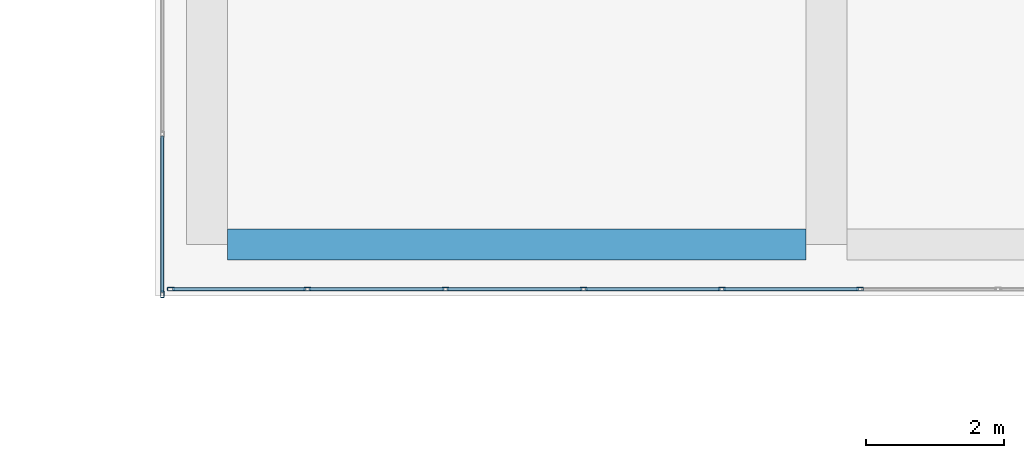
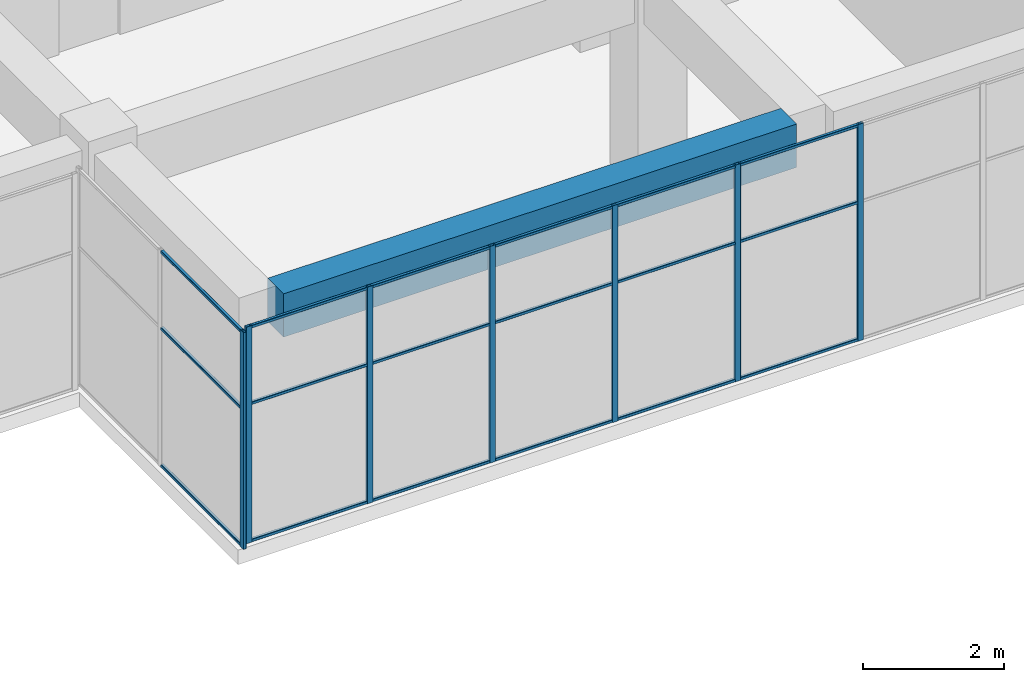
# One storey, part 15 of 66: 25 members, 1 beam, 2 elements without a shape of their own.
"""IFC4 building model written with IfcOpenShell, lengths in metres."""

from ifc_helpers import new_model, si_unit, direction, frame, origin, origin_2d, place, context, subcontext, project, spatial, rectangle, hollow_rectangle, extrude, material, layer, layer_set, material_profile, profile_set, type_object, element, aggregate, save


model = new_model("IFC4")

# Units and contexts
model_context = context("Model", 3, precision=1e-05, world=origin(), true_north=direction((0.0, 1.0)))
body_context = subcontext(model_context, "Body", "Model", "MODEL_VIEW")
ifc_project = project(units=[si_unit("LENGTHUNIT", "METRE"), si_unit("AREAUNIT", "SQUARE_METRE"), si_unit("VOLUMEUNIT", "CUBIC_METRE"), si_unit("PLANEANGLEUNIT", "RADIAN"), si_unit("MASSUNIT", "GRAM", prefix="KILO")], contexts=[model_context])

# Site, building, storey
site_placement = place(None, origin())
site = spatial("IfcSite", under=ifc_project, at=site_placement, CompositionType="ELEMENT")
building_placement = place(site_placement, origin())
building = spatial("IfcBuilding", under=site, at=building_placement, Name="Tuart Plaza Theatre", CompositionType="ELEMENT")
storey_placement = place(building_placement, frame((0.0, 0.0, 5.5)))
storey = spatial("IfcBuildingStorey", under=building, at=storey_placement, Name="L01", CompositionType="ELEMENT", Elevation=5.5)

# Beam
ifc_material_1 = material(Name="Concrete N40 (40 MPa)", Category="concrete")
ifc_material_profile_1 = material_profile(ifc_material_1, rectangle(XDim=0.449951171875, YDim=0.75, at=origin_2d()), Name="BEAM 450x750 Concrete N40 (40 MPa)")
ifc_profile_set_1 = profile_set([ifc_material_profile_1], Name="Concrete N40 (40 MPa)")
beam_type = type_object("IfcBeamType", Name="BEAM 450x750 Concrete N40 (40 MPa)", PredefinedType="BEAM", material=ifc_profile_set_1)
beam_placement = place(storey_placement, frame((123.300048828125, 51.5, 3.375), z_axis=(1.0, 0.0, 0.0), x_axis=(0.0, 1.0, 0.0)))
element("IfcBeam", 1, at=beam_placement, inside=storey, type_object=beam_type, Name="RB174", PredefinedType="BEAM", context=body_context, shape_type="SweptSolid", body=[
    extrude(rectangle(XDim=0.449951171875, YDim=0.75, at=origin_2d()), origin(), (0.0, 0.0, 1.0), 8.39990234375),
])

# Curtain wall, member
ifc_material_2 = material(Name="Aluminium and glass", Category="aluminium")
ifc_layer = layer(ifc_material_2, 0.10009765625)
ifc_layer_set = layer_set([ifc_layer], Name="CURTAIN WALL 2000 module")
curtain_wall_type = type_object("IfcCurtainWallType", Name="CURTAIN WALL 2000 module", PredefinedType="NOTDEFINED", material=ifc_layer_set)
curtain_wall_1_placement = place(storey_placement, origin())
curtain_wall_1 = element("IfcCurtainWall", 2, at=curtain_wall_1_placement, inside=storey, type_object=curtain_wall_type, Name="CW67", PredefinedType="NOTDEFINED")
ifc_material_3 = material(Name="Aluminium 6063-T5", Category="aluminium")
ifc_material_profile_2 = material_profile(ifc_material_3, hollow_rectangle(XDim=0.050048828125, YDim=0.10009765625, WallThickness=0.00390625, InnerFilletRadius=0.00390625, OuterFilletRadius=0.008056640625, at=origin_2d()), Name="RHS 100x50x4")
ifc_profile_set_2 = profile_set([ifc_material_profile_2], Name="Aluminium 6063-T5")
member_type_1 = type_object("IfcMemberType", Name="MULLION RHS 100x50x4", PredefinedType="MULLION", material=ifc_profile_set_2)
member_1_placement = place(storey_placement, frame((122.35009765625, 50.77490234375, 0.0), z_axis=(0.0, 0.0, 1.0), x_axis=(1.0, 0.0, 0.0)))
member_1 = element("IfcMember", 3, at=member_1_placement, type_object=member_type_1, Name="CW67 mullion 3", PredefinedType="MULLION", context=body_context, shape_type="SweptSolid", body=[
    extrude(hollow_rectangle(XDim=0.050048828125, YDim=0.10009765625, WallThickness=0.00390625, InnerFilletRadius=0.00390625, OuterFilletRadius=0.008056640625, at=origin_2d()), origin(), (0.0, 0.0, 1.0), 3.75),
])

# Curtain wall, members
curtain_wall_2_placement = place(storey_placement, origin())
curtain_wall_2 = element("IfcCurtainWall", 4, at=curtain_wall_2_placement, inside=storey, type_object=curtain_wall_type, Name="CW68", PredefinedType="NOTDEFINED")
member_2_placement = place(storey_placement, frame((122.47509765625, 50.85009765625, 0.0), z_axis=(0.0, 0.0, 1.0), x_axis=(0.0, 1.0, 0.0)))
member_2 = element("IfcMember", 5, at=member_2_placement, type_object=member_type_1, Name="CW68 mullion 1", PredefinedType="MULLION", context=body_context, shape_type="SweptSolid", body=[
    extrude(hollow_rectangle(XDim=0.050048828125, YDim=0.10009765625, WallThickness=0.00390625, InnerFilletRadius=0.00390625, OuterFilletRadius=0.008056640625, at=origin_2d()), origin(), (0.0, 0.0, 1.0), 3.75),
])
member_3_placement = place(storey_placement, frame((124.45703125, 50.85009765625, 0.0), z_axis=(0.0, 0.0, 1.0), x_axis=(0.0, 1.0, 0.0)))
member_3 = element("IfcMember", 6, at=member_3_placement, type_object=member_type_1, Name="CW68 mullion 2", PredefinedType="MULLION", context=body_context, shape_type="SweptSolid", body=[
    extrude(hollow_rectangle(XDim=0.050048828125, YDim=0.10009765625, WallThickness=0.00390625, InnerFilletRadius=0.00390625, OuterFilletRadius=0.008056640625, at=origin_2d()), origin(), (0.0, 0.0, 1.0), 3.75),
])
member_4_placement = place(storey_placement, frame((126.46435546875, 50.85009765625, 0.0), z_axis=(0.0, 0.0, 1.0), x_axis=(0.0, 1.0, 0.0)))
member_4 = element("IfcMember", 7, at=member_4_placement, type_object=member_type_1, Name="CW68 mullion 3", PredefinedType="MULLION", context=body_context, shape_type="SweptSolid", body=[
    extrude(hollow_rectangle(XDim=0.050048828125, YDim=0.10009765625, WallThickness=0.00390625, InnerFilletRadius=0.00390625, OuterFilletRadius=0.008056640625, at=origin_2d()), origin(), (0.0, 0.0, 1.0), 3.75),
])
member_5_placement = place(storey_placement, frame((128.471435546875, 50.85009765625, 0.0), z_axis=(0.0, 0.0, 1.0), x_axis=(0.0, 1.0, 0.0)))
member_5 = element("IfcMember", 8, at=member_5_placement, type_object=member_type_1, Name="CW68 mullion 4", PredefinedType="MULLION", context=body_context, shape_type="SweptSolid", body=[
    extrude(hollow_rectangle(XDim=0.050048828125, YDim=0.10009765625, WallThickness=0.00390625, InnerFilletRadius=0.00390625, OuterFilletRadius=0.008056640625, at=origin_2d()), origin(), (0.0, 0.0, 1.0), 3.75),
])
member_6_placement = place(storey_placement, frame((130.478515625, 50.85009765625, 0.0), z_axis=(0.0, 0.0, 1.0), x_axis=(0.0, 1.0, 0.0)))
member_6 = element("IfcMember", 9, at=member_6_placement, type_object=member_type_1, Name="CW68 mullion 5", PredefinedType="MULLION", context=body_context, shape_type="SweptSolid", body=[
    extrude(hollow_rectangle(XDim=0.050048828125, YDim=0.10009765625, WallThickness=0.00390625, InnerFilletRadius=0.00390625, OuterFilletRadius=0.008056640625, at=origin_2d()), origin(), (0.0, 0.0, 1.0), 3.75),
])
member_7_placement = place(storey_placement, frame((132.485595703125, 50.85009765625, 0.0), z_axis=(0.0, 0.0, 1.0), x_axis=(0.0, 1.0, 0.0)))
member_7 = element("IfcMember", 10, at=member_7_placement, type_object=member_type_1, Name="CW68 mullion 6", PredefinedType="MULLION", context=body_context, shape_type="SweptSolid", body=[
    extrude(hollow_rectangle(XDim=0.050048828125, YDim=0.10009765625, WallThickness=0.00390625, InnerFilletRadius=0.00390625, OuterFilletRadius=0.008056640625, at=origin_2d()), origin(), (0.0, 0.0, 1.0), 3.75),
])

# Member
ifc_material_4 = material(Name="Aluminium 6063-T5", Category="aluminium")
ifc_material_profile_3 = material_profile(ifc_material_4, hollow_rectangle(XDim=0.050048828125, YDim=0.050048828125, WallThickness=0.00390625, InnerFilletRadius=0.00390625, OuterFilletRadius=0.008056640625, at=origin_2d()), Name="RHS 50x50x4")
ifc_profile_set_3 = profile_set([ifc_material_profile_3], Name="Aluminium 6063-T5")
member_type_2 = type_object("IfcMemberType", Name="TRANSOM RHS 50x50x4", PredefinedType="USERDEFINED", material=ifc_profile_set_3)
member_8_placement = place(storey_placement, frame((122.35009765625, 53.074951171875, 0.02490234375), z_axis=(0.0, -1.0, 0.0), x_axis=(1.0, 0.0, 0.0)))
member_8 = element("IfcMember", 11, at=member_8_placement, type_object=member_type_2, Name="CW67 transom 2.1", ObjectType="TRANSOM", PredefinedType="USERDEFINED", context=body_context, shape_type="SweptSolid", body=[
    extrude(hollow_rectangle(XDim=0.050048828125, YDim=0.050048828125, WallThickness=0.00390625, InnerFilletRadius=0.00390625, OuterFilletRadius=0.008056640625, at=origin_2d()), origin(), (0.0, 0.0, 1.0), 2.27490234375),
])

member_9_placement = place(storey_placement, frame((122.35009765625, 53.074951171875, 2.39990234375), z_axis=(0.0, -1.0, 0.0), x_axis=(1.0, 0.0, 0.0)))
member_9 = element("IfcMember", 12, at=member_9_placement, type_object=member_type_2, Name="CW67 transom 2.2", ObjectType="TRANSOM", PredefinedType="USERDEFINED", context=body_context, shape_type="SweptSolid", body=[
    extrude(hollow_rectangle(XDim=0.050048828125, YDim=0.050048828125, WallThickness=0.00390625, InnerFilletRadius=0.00390625, OuterFilletRadius=0.008056640625, at=origin_2d()), origin(), (0.0, 0.0, 1.0), 2.27490234375),
])

member_10_placement = place(storey_placement, frame((122.35009765625, 53.074951171875, 3.72509765625), z_axis=(0.0, -1.0, 0.0), x_axis=(1.0, 0.0, 0.0)))
member_10 = element("IfcMember", 13, at=member_10_placement, type_object=member_type_2, Name="CW67 transom 2.3", ObjectType="TRANSOM", PredefinedType="USERDEFINED", context=body_context, shape_type="SweptSolid", body=[
    extrude(hollow_rectangle(XDim=0.050048828125, YDim=0.050048828125, WallThickness=0.00390625, InnerFilletRadius=0.00390625, OuterFilletRadius=0.008056640625, at=origin_2d()), origin(), (0.0, 0.0, 1.0), 2.27490234375),
])

aggregate(curtain_wall_1, [member_1, member_8, member_9, member_10])

member_11_placement = place(storey_placement, frame((122.5, 50.85009765625, 0.02490234375), z_axis=(1.0, 0.0, 0.0), x_axis=(0.0, 1.0, 0.0)))
member_11 = element("IfcMember", 14, at=member_11_placement, type_object=member_type_2, Name="CW68 transom 1.1", ObjectType="TRANSOM", PredefinedType="USERDEFINED", context=body_context, shape_type="SweptSolid", body=[
    extrude(hollow_rectangle(XDim=0.050048828125, YDim=0.050048828125, WallThickness=0.00390625, InnerFilletRadius=0.00390625, OuterFilletRadius=0.008056640625, at=origin_2d()), origin(), (0.0, 0.0, 1.0), 1.93212890625),
])

member_12_placement = place(storey_placement, frame((122.5, 50.85009765625, 2.39990234375), z_axis=(1.0, 0.0, 0.0), x_axis=(0.0, 1.0, 0.0)))
member_12 = element("IfcMember", 15, at=member_12_placement, type_object=member_type_2, Name="CW68 transom 1.2", ObjectType="TRANSOM", PredefinedType="USERDEFINED", context=body_context, shape_type="SweptSolid", body=[
    extrude(hollow_rectangle(XDim=0.050048828125, YDim=0.050048828125, WallThickness=0.00390625, InnerFilletRadius=0.00390625, OuterFilletRadius=0.008056640625, at=origin_2d()), origin(), (0.0, 0.0, 1.0), 1.93212890625),
])

member_13_placement = place(storey_placement, frame((122.5, 50.85009765625, 3.72509765625), z_axis=(1.0, 0.0, 0.0), x_axis=(0.0, 1.0, 0.0)))
member_13 = element("IfcMember", 16, at=member_13_placement, type_object=member_type_2, Name="CW68 transom 1.3", ObjectType="TRANSOM", PredefinedType="USERDEFINED", context=body_context, shape_type="SweptSolid", body=[
    extrude(hollow_rectangle(XDim=0.050048828125, YDim=0.050048828125, WallThickness=0.00390625, InnerFilletRadius=0.00390625, OuterFilletRadius=0.008056640625, at=origin_2d()), origin(), (0.0, 0.0, 1.0), 1.93212890625),
])

member_14_placement = place(storey_placement, frame((124.482177734375, 50.85009765625, 0.02490234375), z_axis=(1.0, 0.0, 0.0), x_axis=(0.0, 1.0, 0.0)))
member_14 = element("IfcMember", 17, at=member_14_placement, type_object=member_type_2, Name="CW68 transom 2.1", ObjectType="TRANSOM", PredefinedType="USERDEFINED", context=body_context, shape_type="SweptSolid", body=[
    extrude(hollow_rectangle(XDim=0.050048828125, YDim=0.050048828125, WallThickness=0.00390625, InnerFilletRadius=0.00390625, OuterFilletRadius=0.008056640625, at=origin_2d()), origin(), (0.0, 0.0, 1.0), 1.95703125),
])

member_15_placement = place(storey_placement, frame((124.482177734375, 50.85009765625, 2.39990234375), z_axis=(1.0, 0.0, 0.0), x_axis=(0.0, 1.0, 0.0)))
member_15 = element("IfcMember", 18, at=member_15_placement, type_object=member_type_2, Name="CW68 transom 2.2", ObjectType="TRANSOM", PredefinedType="USERDEFINED", context=body_context, shape_type="SweptSolid", body=[
    extrude(hollow_rectangle(XDim=0.050048828125, YDim=0.050048828125, WallThickness=0.00390625, InnerFilletRadius=0.00390625, OuterFilletRadius=0.008056640625, at=origin_2d()), origin(), (0.0, 0.0, 1.0), 1.95703125),
])

member_16_placement = place(storey_placement, frame((124.482177734375, 50.85009765625, 3.72509765625), z_axis=(1.0, 0.0, 0.0), x_axis=(0.0, 1.0, 0.0)))
member_16 = element("IfcMember", 19, at=member_16_placement, type_object=member_type_2, Name="CW68 transom 2.3", ObjectType="TRANSOM", PredefinedType="USERDEFINED", context=body_context, shape_type="SweptSolid", body=[
    extrude(hollow_rectangle(XDim=0.050048828125, YDim=0.050048828125, WallThickness=0.00390625, InnerFilletRadius=0.00390625, OuterFilletRadius=0.008056640625, at=origin_2d()), origin(), (0.0, 0.0, 1.0), 1.95703125),
])

member_17_placement = place(storey_placement, frame((126.4892578125, 50.85009765625, 0.02490234375), z_axis=(1.0, 0.0, 0.0), x_axis=(0.0, 1.0, 0.0)))
member_17 = element("IfcMember", 20, at=member_17_placement, type_object=member_type_2, Name="CW68 transom 3.1", ObjectType="TRANSOM", PredefinedType="USERDEFINED", context=body_context, shape_type="SweptSolid", body=[
    extrude(hollow_rectangle(XDim=0.050048828125, YDim=0.050048828125, WallThickness=0.00390625, InnerFilletRadius=0.00390625, OuterFilletRadius=0.008056640625, at=origin_2d()), origin(), (0.0, 0.0, 1.0), 1.957275390625),
])

member_18_placement = place(storey_placement, frame((126.4892578125, 50.85009765625, 2.39990234375), z_axis=(1.0, 0.0, 0.0), x_axis=(0.0, 1.0, 0.0)))
member_18 = element("IfcMember", 21, at=member_18_placement, type_object=member_type_2, Name="CW68 transom 3.2", ObjectType="TRANSOM", PredefinedType="USERDEFINED", context=body_context, shape_type="SweptSolid", body=[
    extrude(hollow_rectangle(XDim=0.050048828125, YDim=0.050048828125, WallThickness=0.00390625, InnerFilletRadius=0.00390625, OuterFilletRadius=0.008056640625, at=origin_2d()), origin(), (0.0, 0.0, 1.0), 1.957275390625),
])

member_19_placement = place(storey_placement, frame((126.4892578125, 50.85009765625, 3.72509765625), z_axis=(1.0, 0.0, 0.0), x_axis=(0.0, 1.0, 0.0)))
member_19 = element("IfcMember", 22, at=member_19_placement, type_object=member_type_2, Name="CW68 transom 3.3", ObjectType="TRANSOM", PredefinedType="USERDEFINED", context=body_context, shape_type="SweptSolid", body=[
    extrude(hollow_rectangle(XDim=0.050048828125, YDim=0.050048828125, WallThickness=0.00390625, InnerFilletRadius=0.00390625, OuterFilletRadius=0.008056640625, at=origin_2d()), origin(), (0.0, 0.0, 1.0), 1.957275390625),
])

member_20_placement = place(storey_placement, frame((128.496337890625, 50.85009765625, 0.02490234375), z_axis=(1.0, 0.0, 0.0), x_axis=(0.0, 1.0, 0.0)))
member_20 = element("IfcMember", 23, at=member_20_placement, type_object=member_type_2, Name="CW68 transom 4.1", ObjectType="TRANSOM", PredefinedType="USERDEFINED", context=body_context, shape_type="SweptSolid", body=[
    extrude(hollow_rectangle(XDim=0.050048828125, YDim=0.050048828125, WallThickness=0.00390625, InnerFilletRadius=0.00390625, OuterFilletRadius=0.008056640625, at=origin_2d()), origin(), (0.0, 0.0, 1.0), 1.957275390625),
])

member_21_placement = place(storey_placement, frame((128.496337890625, 50.85009765625, 2.39990234375), z_axis=(1.0, 0.0, 0.0), x_axis=(0.0, 1.0, 0.0)))
member_21 = element("IfcMember", 24, at=member_21_placement, type_object=member_type_2, Name="CW68 transom 4.2", ObjectType="TRANSOM", PredefinedType="USERDEFINED", context=body_context, shape_type="SweptSolid", body=[
    extrude(hollow_rectangle(XDim=0.050048828125, YDim=0.050048828125, WallThickness=0.00390625, InnerFilletRadius=0.00390625, OuterFilletRadius=0.008056640625, at=origin_2d()), origin(), (0.0, 0.0, 1.0), 1.957275390625),
])

member_22_placement = place(storey_placement, frame((128.496337890625, 50.85009765625, 3.72509765625), z_axis=(1.0, 0.0, 0.0), x_axis=(0.0, 1.0, 0.0)))
member_22 = element("IfcMember", 25, at=member_22_placement, type_object=member_type_2, Name="CW68 transom 4.3", ObjectType="TRANSOM", PredefinedType="USERDEFINED", context=body_context, shape_type="SweptSolid", body=[
    extrude(hollow_rectangle(XDim=0.050048828125, YDim=0.050048828125, WallThickness=0.00390625, InnerFilletRadius=0.00390625, OuterFilletRadius=0.008056640625, at=origin_2d()), origin(), (0.0, 0.0, 1.0), 1.957275390625),
])

member_23_placement = place(storey_placement, frame((130.503662109375, 50.85009765625, 0.02490234375), z_axis=(1.0, 0.0, 0.0), x_axis=(0.0, 1.0, 0.0)))
member_23 = element("IfcMember", 26, at=member_23_placement, type_object=member_type_2, Name="CW68 transom 5.1", ObjectType="TRANSOM", PredefinedType="USERDEFINED", context=body_context, shape_type="SweptSolid", body=[
    extrude(hollow_rectangle(XDim=0.050048828125, YDim=0.050048828125, WallThickness=0.00390625, InnerFilletRadius=0.00390625, OuterFilletRadius=0.008056640625, at=origin_2d()), origin(), (0.0, 0.0, 1.0), 1.95703125),
])

member_24_placement = place(storey_placement, frame((130.503662109375, 50.85009765625, 2.39990234375), z_axis=(1.0, 0.0, 0.0), x_axis=(0.0, 1.0, 0.0)))
member_24 = element("IfcMember", 27, at=member_24_placement, type_object=member_type_2, Name="CW68 transom 5.2", ObjectType="TRANSOM", PredefinedType="USERDEFINED", context=body_context, shape_type="SweptSolid", body=[
    extrude(hollow_rectangle(XDim=0.050048828125, YDim=0.050048828125, WallThickness=0.00390625, InnerFilletRadius=0.00390625, OuterFilletRadius=0.008056640625, at=origin_2d()), origin(), (0.0, 0.0, 1.0), 1.95703125),
])

member_25_placement = place(storey_placement, frame((130.503662109375, 50.85009765625, 3.72509765625), z_axis=(1.0, 0.0, 0.0), x_axis=(0.0, 1.0, 0.0)))
member_25 = element("IfcMember", 28, at=member_25_placement, type_object=member_type_2, Name="CW68 transom 5.3", ObjectType="TRANSOM", PredefinedType="USERDEFINED", context=body_context, shape_type="SweptSolid", body=[
    extrude(hollow_rectangle(XDim=0.050048828125, YDim=0.050048828125, WallThickness=0.00390625, InnerFilletRadius=0.00390625, OuterFilletRadius=0.008056640625, at=origin_2d()), origin(), (0.0, 0.0, 1.0), 1.95703125),
])

aggregate(curtain_wall_2, [member_2, member_3, member_4, member_5, member_6, member_7, member_11, member_12, member_13, member_14, member_15, member_16, member_17, member_18, member_19, member_20, member_21, member_22, member_23, member_24, member_25])

save(model, "model.ifc")
